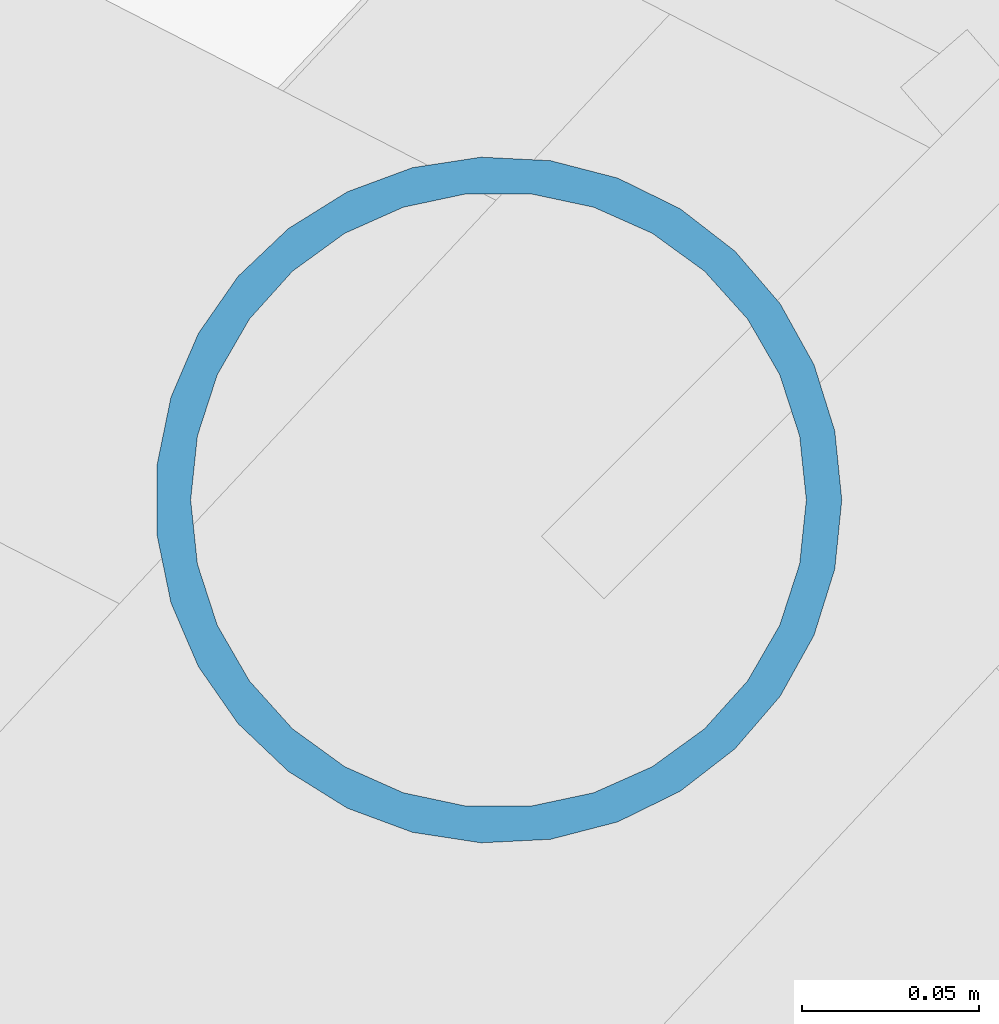
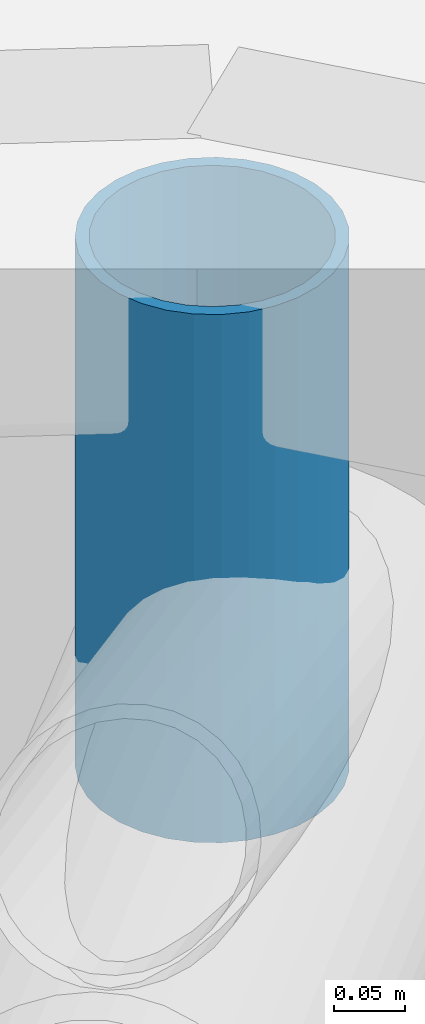
# One storey, part 102 of 134: 1 member.
"""IFC4 building model written with IfcOpenShell, lengths in metres."""

from ifc_helpers import new_model, si_unit, derived_unit, direction, frame, origin, origin_2d, place, context, subcontext, project, spatial, hollow_circle, extrude, material, material_profile, profile_set, type_object, element, save


model = new_model("IFC4")

# Units and contexts
model_context = context("Model", 3, precision=1e-05, world=origin(), true_north=direction((0.0, 1.0)))
body_context = subcontext(model_context, "Body", "Model", "MODEL_VIEW")
ifc_project = project(units=[si_unit("LENGTHUNIT", "METRE"), si_unit("AREAUNIT", "SQUARE_METRE"), si_unit("VOLUMEUNIT", "CUBIC_METRE"), si_unit("PLANEANGLEUNIT", "RADIAN"), si_unit("MASSUNIT", "GRAM", prefix="KILO"), derived_unit("THERMALTRANSMITTANCEUNIT", [(si_unit("MASSUNIT", "GRAM", prefix="KILO"), 1), (si_unit("TIMEUNIT", "SECOND"), -3), (si_unit("THERMODYNAMICTEMPERATUREUNIT", "KELVIN"), -1)])], contexts=[model_context])

# Site, building, storey
site_placement = place(None, origin())
site = spatial("IfcSite", under=ifc_project, at=site_placement, CompositionType="ELEMENT")
building_placement = place(site_placement, origin())
building = spatial("IfcBuilding", under=site, at=building_placement, Name="Kharveza Railside Sports Centre", CompositionType="ELEMENT")
storey_placement = place(building_placement, frame((0.0, 0.0, 12.89990234375)))
storey = spatial("IfcBuildingStorey", under=building, at=storey_placement, Name="L03", CompositionType="ELEMENT", Elevation=12.89990234375)

# Member
ifc_material = material(Name="Steel S355J2", Category="steel")
ifc_material_profile = material_profile(ifc_material, hollow_circle(Radius=0.096923828125, WallThickness=0.010009765625, at=origin_2d()), Name="CHS 193.7x10.0")
ifc_profile_set = profile_set([ifc_material_profile], Name="Steel S355J2")
member_type = type_object("IfcMemberType", Name="MB-ST02", PredefinedType="STRUT", material=ifc_profile_set)
member_placement = place(storey_placement, frame((88.87353515625, 76.723388671875, -0.0498046875), z_axis=(0.0, 0.0, 1.0), x_axis=(1.0, 0.0, 0.0)))
element("IfcMember", 1, at=member_placement, inside=storey, type_object=member_type, Name="MB-LIDPOST-S1-03", PredefinedType="STRUT", context=body_context, shape_type="SweptSolid", body=[
    extrude(hollow_circle(Radius=0.096923828125, WallThickness=0.010009765625, at=origin_2d()), origin(), (0.0, 0.0, 1.0), 0.454833984375),
])

save(model, "model.ifc")
